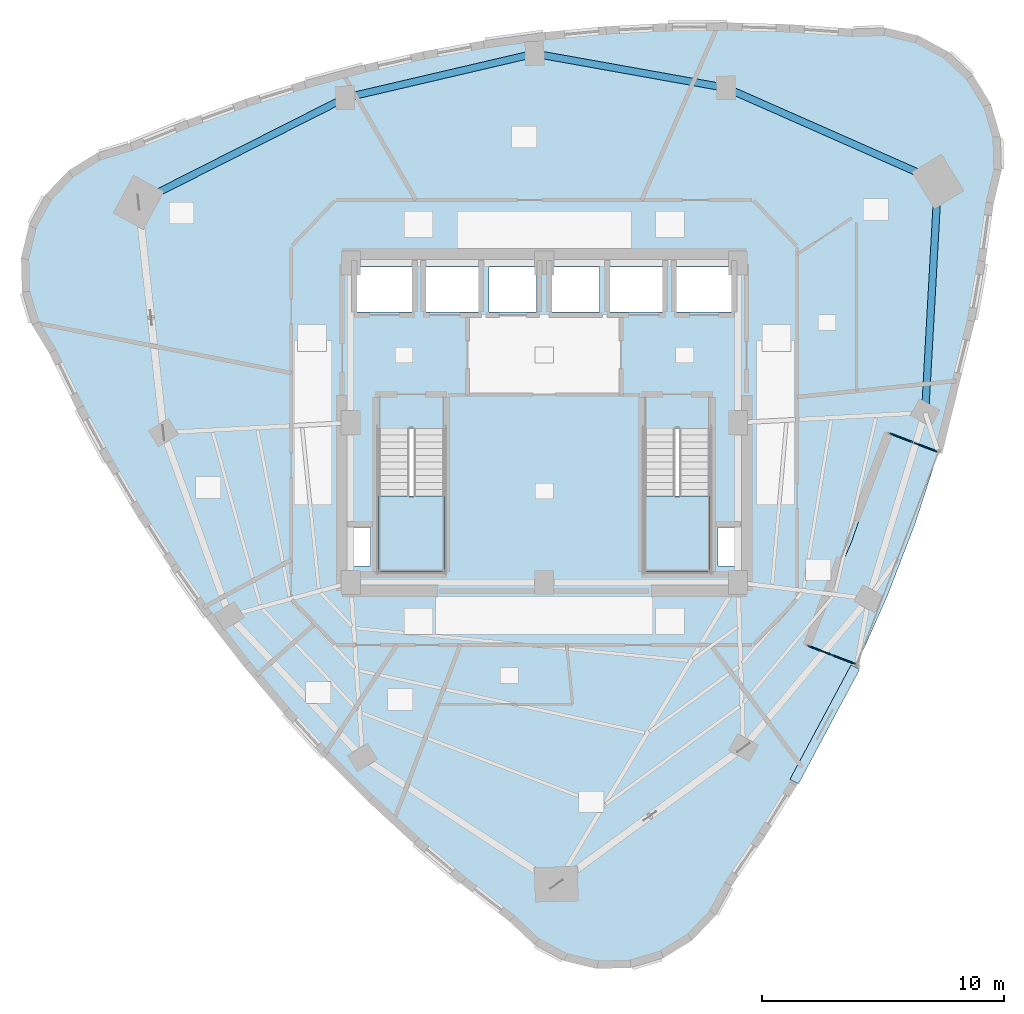
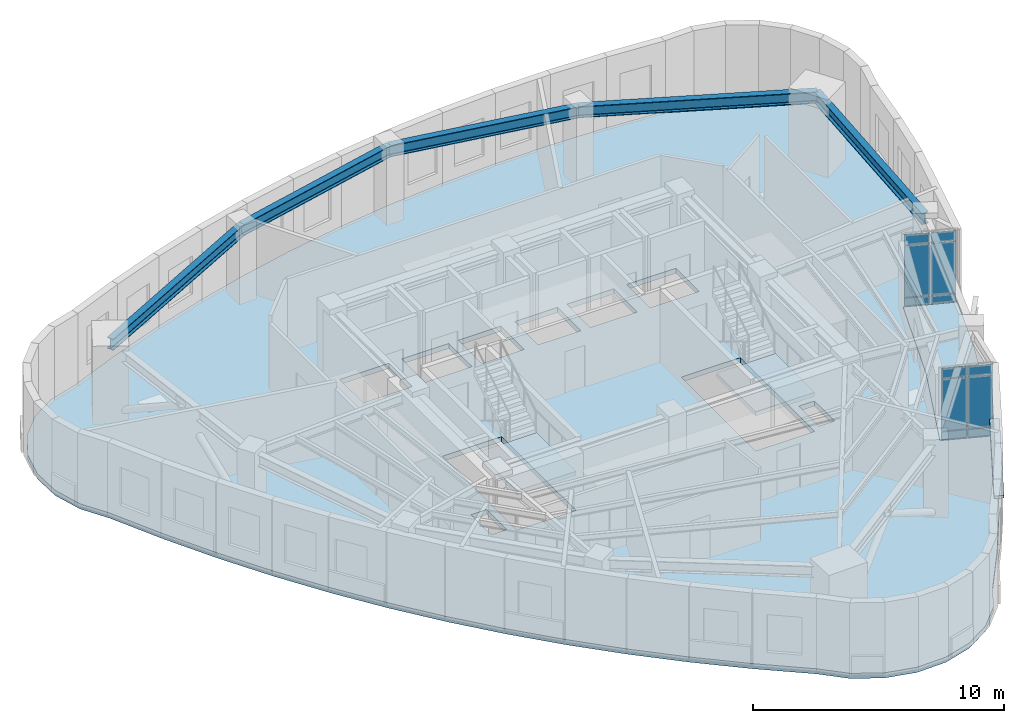
# One storey, part 3 of 10: 13 plates, 5 beams, 4 slabs, 4 elements without a shape of their own.
"""IFC4 building model written with IfcOpenShell, lengths in metres."""

from ifc_helpers import new_model, si_unit, direction, frame, origin, origin_2d, place, context, subcontext, project, spatial, polyline, rectangle, i_section, outline, extrude, material, layer, layer_set, material_profile, profile_set, type_object, element, aggregate, save


model = new_model("IFC4")

# Units and contexts
model_context = context("Model", 3, precision=1e-05, world=origin(), true_north=direction((0.0, 1.0)))
body_context = subcontext(model_context, "Body", "Model", "MODEL_VIEW")
ifc_project = project(units=[si_unit("LENGTHUNIT", "METRE"), si_unit("AREAUNIT", "SQUARE_METRE"), si_unit("VOLUMEUNIT", "CUBIC_METRE"), si_unit("PLANEANGLEUNIT", "RADIAN"), si_unit("MASSUNIT", "GRAM", prefix="KILO")], contexts=[model_context])

# Site, building, storey
site_placement = place(None, origin())
site = spatial("IfcSite", under=ifc_project, at=site_placement, CompositionType="ELEMENT")
building_placement = place(site_placement, origin())
building = spatial("IfcBuilding", under=site, at=building_placement, Name="Ndelora Gate Hotel", CompositionType="ELEMENT")
storey_placement = place(building_placement, frame((0.0, 0.0, 243.550048828125)))
storey = spatial("IfcBuildingStorey", under=building, at=storey_placement, Name="L61", CompositionType="ELEMENT", Elevation=243.550048828125)

# Beams
ifc_material_1 = material(Name="Steel S355", Category="steel")
ifc_material_profile = material_profile(ifc_material_1, i_section(OverallWidth=0.300048828125, OverallDepth=0.550048828125, WebThickness=0.014892578125, FlangeThickness=0.029052734375, FilletRadius=0.027099609375, at=origin_2d()), Name="HEB 550")
ifc_profile_set = profile_set([ifc_material_profile], Name="Steel S355")
beam_type = type_object("IfcBeamType", Name="BM-RING-550", PredefinedType="SPANDREL", material=ifc_profile_set)
beam_1_placement = place(storey_placement, frame((15.72998046875, 0.411865234375, 3.27490234375), z_axis=(0.055426206248, 0.998462786318, 0.0), x_axis=(-0.998462786318, 0.055426206248, 0.0)))
element("IfcBeam", 1, at=beam_1_placement, inside=storey, type_object=beam_type, Name="L61 Perimeter Spandrel Girder 8", PredefinedType="SPANDREL", context=body_context, shape_type="SweptSolid", body=[
    extrude(i_section(OverallWidth=0.300048828125, OverallDepth=0.550048828125, WebThickness=0.014892578125, FlangeThickness=0.029052734375, FilletRadius=0.027099609375, at=origin_2d()), origin(), (0.0, 0.0, 1.0), 9.567138671875),
])
beam_2_placement = place(storey_placement, frame((16.26025390625, 9.96435546875, 3.27490234375), z_axis=(-0.914807449647, 0.403890245078, 0.0), x_axis=(-0.403890245078, -0.914807449647, 0.0)))
element("IfcBeam", 2, at=beam_2_placement, inside=storey, type_object=beam_type, Name="L61 Perimeter Spandrel Girder 9", PredefinedType="SPANDREL", context=body_context, shape_type="SweptSolid", body=[
    extrude(i_section(OverallWidth=0.300048828125, OverallDepth=0.550048828125, WebThickness=0.014892578125, FlangeThickness=0.029052734375, FilletRadius=0.027099609375, at=origin_2d()), origin(), (0.0, 0.0, 1.0), 9.56689453125),
])
for number, where, z_axis, x_axis, name in (
    (3, (7.50830078125, 13.828369140625, 3.27490234375), (-0.984373619655, 0.176092523767, 0.0), (-0.176092523767, -0.984373619655, 0.0), "L61 Perimeter Spandrel Girder 10"),
    (4, (-0.399169921875, 15.242919921875, 3.27490234375), (-0.973809142107, -0.227367004529, 0.0), (0.227367004529, -0.973809142107, 0.0), "L61 Perimeter Spandrel Girder 11"),
):
    element("IfcBeam", number, at=place(storey_placement, frame(where, z_axis=z_axis, x_axis=x_axis)), inside=storey, type_object=beam_type, Name=name, PredefinedType="SPANDREL", context=body_context, shape_type="SweptSolid", body=[
        extrude(i_section(OverallWidth=0.300048828125, OverallDepth=0.550048828125, WebThickness=0.014892578125, FlangeThickness=0.029052734375, FilletRadius=0.027099609375, at=origin_2d()), origin(), (0.0, 0.0, 1.0), 8.032958984375),
    ])
beam_3_placement = place(storey_placement, frame((-8.2216796875, 13.41650390625, 3.27490234375), z_axis=(-0.89241242978, -0.451220628045, 0.0), x_axis=(0.451220628045, -0.89241242978, 0.0)))
element("IfcBeam", 5, at=beam_3_placement, inside=storey, type_object=beam_type, Name="L61 Perimeter Spandrel Girder 12", PredefinedType="SPANDREL", context=body_context, shape_type="SweptSolid", body=[
    extrude(i_section(OverallWidth=0.300048828125, OverallDepth=0.550048828125, WebThickness=0.014892578125, FlangeThickness=0.029052734375, FilletRadius=0.027099609375, at=origin_2d()), origin(), (0.0, 0.0, 1.0), 9.567138671875),
])

# Curtain wall, plates
ifc_material_2 = material(Name="Bronze Anodised Unitised Aluminium and Low-E Glass", Category="aluminium")
ifc_layer_1 = layer(ifc_material_2, 0.199951171875)
ifc_layer_set_1 = layer_set([ifc_layer_1], Name="Bronze Anodised Unitised Aluminium and Low-E Glass")
curtain_wall_type = type_object("IfcCurtainWallType", Name="CW-SYS-3", PredefinedType="NOTDEFINED", material=ifc_layer_set_1)
curtain_wall_1_placement = place(storey_placement, origin())
curtain_wall_1 = element("IfcCurtainWall", 6, at=curtain_wall_1_placement, inside=storey, type_object=curtain_wall_type, Name="L61 Sky-Garden Loggia Side Curtain Wall CW3-1", PredefinedType="NOTDEFINED")
ifc_material_3 = material(Name="Solar-Control Low-E Insulated Glazing", Category="glass")
ifc_layer_2 = layer(ifc_material_3, 0.048095703125)
ifc_layer_set_2 = layer_set([ifc_layer_2], Name="Solar-Control Low-E Insulated Glazing")
plate_type_1 = type_object("IfcPlateType", Name="PL-CW-GLZ36", PredefinedType="CURTAIN_PANEL", material=ifc_layer_set_2)
plate_1_placement = place(storey_placement, frame((11.38232421875, -9.403564453125, 0.05908203125), z_axis=(0.0, 0.0, 1.0), x_axis=(0.933577378035, -0.35837589096, 0.0)))
plate_1 = element("IfcPlate", 7, at=plate_1_placement, type_object=plate_type_1, Name="CW3 panel 1.1", PredefinedType="CURTAIN_PANEL", context=body_context, shape_type="SweptSolid", body=[
    extrude(rectangle(XDim=1.014404296875, YDim=0.048095703125, at=origin_2d()), origin(), (0.0, 0.0, 1.0), 0.364501953125),
])
plate_2_placement = place(storey_placement, frame((11.38232421875, -9.403564453125, 0.476318359375), z_axis=(0.0, 0.0, 1.0), x_axis=(0.933577378035, -0.35837589096, 0.0)))
plate_2 = element("IfcPlate", 8, at=plate_2_placement, type_object=plate_type_1, Name="CW3 panel 1.2", PredefinedType="CURTAIN_PANEL", context=body_context, shape_type="SweptSolid", body=[
    extrude(rectangle(XDim=1.014404296875, YDim=0.048095703125, at=origin_2d()), origin(), (0.0, 0.0, 1.0), 2.4970703125),
])
plate_3_placement = place(storey_placement, frame((11.38232421875, -9.403564453125, 3.0263671875), z_axis=(0.0, 0.0, 1.0), x_axis=(0.933577378035, -0.35837589096, 0.0)))
plate_3 = element("IfcPlate", 9, at=plate_3_placement, type_object=plate_type_1, Name="CW3 panel 1.3", PredefinedType="CURTAIN_PANEL", context=body_context, shape_type="SweptSolid", body=[
    extrude(rectangle(XDim=1.014404296875, YDim=0.048095703125, at=origin_2d()), origin(), (0.0, 0.0, 1.0), 0.464599609375),
])
plate_4_placement = place(storey_placement, frame((12.378662109375, -9.7861328125, 0.05908203125), z_axis=(0.0, 0.0, 1.0), x_axis=(0.933577378035, -0.35837589096, 0.0)))
plate_4 = element("IfcPlate", 10, at=plate_4_placement, type_object=plate_type_1, Name="CW3 panel 2.1", PredefinedType="CURTAIN_PANEL", context=body_context, shape_type="SweptSolid", body=[
    extrude(rectangle(XDim=1.014404296875, YDim=0.048095703125, at=origin_2d()), origin(), (0.0, 0.0, 1.0), 0.364501953125),
])
plate_5_placement = place(storey_placement, frame((12.378662109375, -9.7861328125, 0.476318359375), z_axis=(0.0, 0.0, 1.0), x_axis=(0.933577378035, -0.35837589096, 0.0)))
plate_5 = element("IfcPlate", 11, at=plate_5_placement, type_object=plate_type_1, Name="CW3 panel 2.2", PredefinedType="CURTAIN_PANEL", context=body_context, shape_type="SweptSolid", body=[
    extrude(rectangle(XDim=1.014404296875, YDim=0.048095703125, at=origin_2d()), origin(), (0.0, 0.0, 1.0), 2.4970703125),
])
plate_6_placement = place(storey_placement, frame((12.378662109375, -9.7861328125, 3.0263671875), z_axis=(0.0, 0.0, 1.0), x_axis=(0.933577378035, -0.35837589096, 0.0)))
plate_6 = element("IfcPlate", 12, at=plate_6_placement, type_object=plate_type_1, Name="CW3 panel 2.3", PredefinedType="CURTAIN_PANEL", context=body_context, shape_type="SweptSolid", body=[
    extrude(rectangle(XDim=1.014404296875, YDim=0.048095703125, at=origin_2d()), origin(), (0.0, 0.0, 1.0), 0.464599609375),
])
aggregate(curtain_wall_1, [plate_1, plate_2, plate_3, plate_4, plate_5, plate_6])

curtain_wall_2_placement = place(storey_placement, origin())
curtain_wall_2 = element("IfcCurtainWall", 13, at=curtain_wall_2_placement, inside=storey, type_object=curtain_wall_type, Name="L61 Sky-Garden Loggia Side Curtain Wall CW3-2", PredefinedType="NOTDEFINED")
plate_7_placement = place(storey_placement, frame((15.74755859375, -1.010498046875, 0.05908203125), z_axis=(0.0, 0.0, 1.0), x_axis=(-0.93358321574, 0.358360683234, 0.0)))
plate_7 = element("IfcPlate", 14, at=plate_7_placement, type_object=plate_type_1, Name="CW3 panel 1.1", PredefinedType="CURTAIN_PANEL", context=body_context, shape_type="SweptSolid", body=[
    extrude(rectangle(XDim=1.014404296875, YDim=0.048095703125, at=origin_2d()), origin(), (0.0, 0.0, 1.0), 0.364501953125),
])
plate_8_placement = place(storey_placement, frame((15.74755859375, -1.010498046875, 0.476318359375), z_axis=(0.0, 0.0, 1.0), x_axis=(-0.93358321574, 0.358360683234, 0.0)))
plate_8 = element("IfcPlate", 15, at=plate_8_placement, type_object=plate_type_1, Name="CW3 panel 1.2", PredefinedType="CURTAIN_PANEL", context=body_context, shape_type="SweptSolid", body=[
    extrude(rectangle(XDim=1.014404296875, YDim=0.048095703125, at=origin_2d()), origin(), (0.0, 0.0, 1.0), 2.4970703125),
])
plate_9_placement = place(storey_placement, frame((15.74755859375, -1.010498046875, 3.0263671875), z_axis=(0.0, 0.0, 1.0), x_axis=(-0.93358321574, 0.358360683234, 0.0)))
plate_9 = element("IfcPlate", 16, at=plate_9_placement, type_object=plate_type_1, Name="CW3 panel 1.3", PredefinedType="CURTAIN_PANEL", context=body_context, shape_type="SweptSolid", body=[
    extrude(rectangle(XDim=1.014404296875, YDim=0.048095703125, at=origin_2d()), origin(), (0.0, 0.0, 1.0), 0.464599609375),
])
plate_10_placement = place(storey_placement, frame((14.750732421875, -0.6279296875, 0.05908203125), z_axis=(0.0, 0.0, 1.0), x_axis=(-0.93358321574, 0.358360683234, 0.0)))
plate_10 = element("IfcPlate", 17, at=plate_10_placement, type_object=plate_type_1, Name="CW3 panel 2.1", PredefinedType="CURTAIN_PANEL", context=body_context, shape_type="SweptSolid", body=[
    extrude(rectangle(XDim=1.014404296875, YDim=0.048095703125, at=origin_2d()), origin(), (0.0, 0.0, 1.0), 0.364501953125),
])
plate_11_placement = place(storey_placement, frame((14.750732421875, -0.6279296875, 0.476318359375), z_axis=(0.0, 0.0, 1.0), x_axis=(-0.93358321574, 0.358360683234, 0.0)))
plate_11 = element("IfcPlate", 18, at=plate_11_placement, type_object=plate_type_1, Name="CW3 panel 2.2", PredefinedType="CURTAIN_PANEL", context=body_context, shape_type="SweptSolid", body=[
    extrude(rectangle(XDim=1.014404296875, YDim=0.048095703125, at=origin_2d()), origin(), (0.0, 0.0, 1.0), 2.4970703125),
])
plate_12_placement = place(storey_placement, frame((14.750732421875, -0.6279296875, 3.0263671875), z_axis=(0.0, 0.0, 1.0), x_axis=(-0.93358321574, 0.358360683234, 0.0)))
plate_12 = element("IfcPlate", 19, at=plate_12_placement, type_object=plate_type_1, Name="CW3 panel 2.3", PredefinedType="CURTAIN_PANEL", context=body_context, shape_type="SweptSolid", body=[
    extrude(rectangle(XDim=1.014404296875, YDim=0.048095703125, at=origin_2d()), origin(), (0.0, 0.0, 1.0), 0.464599609375),
])
aggregate(curtain_wall_2, [plate_7, plate_8, plate_9, plate_10, plate_11, plate_12])

# Plate
ifc_material_4 = material(Name="Precast concrete C40/50", Category="concrete")
ifc_layer_3 = layer(ifc_material_4, 0.125)
ifc_layer_set_3 = layer_set([ifc_layer_3], Name="Precast concrete C40/50")
plate_type_2 = type_object("IfcPlateType", Name="PL-SILL-120", PredefinedType="USERDEFINED", material=ifc_layer_set_3)
plate_13_placement = place(storey_placement, frame((11.58642578125, -12.461669921875, 0.787353515625), z_axis=(0.0, 0.0, 1.0), x_axis=(0.471165834227, 0.882044645501, 0.0)))
element("IfcPlate", 20, at=plate_13_placement, inside=storey, type_object=plate_type_2, Name="L61 Streamline Precast Ribbon Sill 31", ObjectType="RIBBON_SILL", PredefinedType="USERDEFINED", context=body_context, shape_type="SweptSolid", body=[
    extrude(rectangle(XDim=5.35693359375, YDim=0.39990234375, at=origin_2d()), origin(), (0.0, 0.0, 1.0), 0.125),
])

# Stair, slab
stair_type = type_object("IfcStairType", Name="STR-DOG-CORE", PredefinedType="HALF_TURN_STAIR", material=ifc_material_4)
stair_1_placement = place(storey_placement, origin())
stair_1 = element("IfcStair", 21, at=stair_1_placement, inside=storey, type_object=stair_type, Name="L61 Protected Core Exit Stair ST4", PredefinedType="HALF_TURN_STAIR")
ifc_layer_4 = layer(ifc_material_4, 0.219970703125)
ifc_layer_set_4 = layer_set([ifc_layer_4], Name="Precast concrete C40/50")
slab_type_1 = type_object("IfcSlabType", Name="SL-LAND-220", PredefinedType="LANDING", material=ifc_layer_set_4)
slab_1_placement = place(storey_placement, frame((0.0, 0.0, 1.699951171875)))
slab_1 = element("IfcSlab", 22, at=slab_1_placement, type_object=slab_type_1, Name="ST4 landing 1", PredefinedType="LANDING", context=body_context, shape_type="SweptSolid", body=[
    extrude(outline(polyline([(-6.85009765625, -3.030029296875), (-6.85009765625, -6.14990234375), (-4.1298828125, -6.14990234375), (-4.1298828125, -3.030029296875), (-6.85009765625, -3.030029296875)])), origin(), (0.0, 0.0, 1.0), 0.199951171875),
])
aggregate(stair_1, [slab_1])

stair_2_placement = place(storey_placement, origin())
stair_2 = element("IfcStair", 23, at=stair_2_placement, inside=storey, type_object=stair_type, Name="L61 Protected Core Exit Stair ST5", PredefinedType="HALF_TURN_STAIR")
slab_2_placement = place(storey_placement, frame((0.0, 0.0, 1.699951171875)))
slab_2 = element("IfcSlab", 24, at=slab_2_placement, type_object=slab_type_1, Name="ST5 landing 1", PredefinedType="LANDING", context=body_context, shape_type="SweptSolid", body=[
    extrude(outline(polyline([(4.1298828125, -3.030029296875), (4.1298828125, -6.14990234375), (6.85009765625, -6.14990234375), (6.85009765625, -3.030029296875), (4.1298828125, -3.030029296875)])), origin(), (0.0, 0.0, 1.0), 0.199951171875),
])
aggregate(stair_2, [slab_2])

# Slabs
ifc_layer_5 = layer(ifc_material_4, 0.239990234375)
ifc_layer_set_5 = layer_set([ifc_layer_5], Name="Precast concrete C40/50")
slab_type_2 = type_object("IfcSlabType", Name="SL-TER-240", PredefinedType="FLOOR", material=ifc_layer_set_5)
slab_3_placement = place(storey_placement, frame((0.0, 0.0, -0.239990234375)))
element("IfcSlab", 25, at=slab_3_placement, inside=storey, type_object=slab_type_2, Name="L61 Sky Garden Loggia Terrace Slab", PredefinedType="FLOOR", context=body_context, shape_type="SweptSolid", body=[
    extrude(outline(polyline([(10.853515625, -9.20068359375), (12.907470703125, -9.989013671875), (14.171142578125, -7.151611328125), (15.316650390625, -4.167724609375), (16.276123046875, -1.21337890625), (14.22216796875, -0.425048828125), (12.7099609375, -4.87890625), (10.853515625, -9.20068359375)])), origin(), (0.0, 0.0, 1.0), 0.239990234375),
])
ifc_material_5 = material(Name="Concrete C40/50", Category="concrete")
ifc_layer_6 = layer(ifc_material_5, 0.25)
ifc_layer_set_6 = layer_set([ifc_layer_6], Name="Concrete C40/50")
slab_type_3 = type_object("IfcSlabType", Name="SL-TWR-250", PredefinedType="FLOOR", material=ifc_layer_set_6)
slab_4_placement = place(storey_placement, frame((0.0, 0.0, -0.25)))
element("IfcSlab", 26, at=slab_4_placement, inside=storey, type_object=slab_type_3, Name="L61 Structural Floor Slab", PredefinedType="FLOOR", context=body_context, shape_type="SweptSolid", body=[
    extrude(outline(polyline([(-17.084228515625, 11.381591796875), (-18.3857421875, 10.99609375), (-19.543212890625, 10.286865234375), (-20.4775390625, 9.30224609375), (-21.125244140625, 8.109375), (-21.442138671875, 6.789306640625), (-21.40673828125, 5.432373046875), (-21.02099609375, 4.130615234375), (-20.31201171875, 2.973388671875), (-19.179931640625, 0.653076171875), (-17.966064453125, -1.600830078125), (-16.669921875, -3.788330078125), (-15.2919921875, -5.909423828125), (-13.83203125, -7.964111328125), (-12.289794921875, -9.9521484375), (-10.665771484375, -11.873779296875), (-8.959716796875, -13.729248046875), (-7.17138671875, -15.51806640625), (-5.30126953125, -17.240478515625), (-3.34912109375, -18.896484375), (-1.314697265625, -20.486083984375), (-0.330078125, -21.420654296875), (0.86279296875, -22.068359375), (2.182861328125, -22.38525390625), (3.539794921875, -22.349609375), (4.84130859375, -21.964111328125), (5.998779296875, -21.2548828125), (6.933349609375, -20.270263671875), (7.5810546875, -19.0771484375), (8.968505859375, -17.023193359375), (10.265380859375, -14.93408203125), (12.907470703125, -9.989013671875), (10.853515625, -9.20068359375), (12.7099609375, -4.87890625), (14.22216796875, -0.425048828125), (16.276123046875, -1.21337890625), (17.62158203125, 4.229248046875), (18.0556640625, 6.6494140625), (18.39892578125, 9.1044921875), (18.7158203125, 10.42431640625), (18.680419921875, 11.781494140625), (18.294921875, 13.0830078125), (17.58544921875, 14.240478515625), (16.600830078125, 15.1748046875), (15.40771484375, 15.822509765625), (14.087890625, 16.139404296875), (12.73095703125, 16.10400390625), (10.155517578125, 16.28369140625), (7.5966796875, 16.359619140625), (5.05419921875, 16.330810546875), (2.5283203125, 16.197998046875), (0.01904296875, 15.960693359375), (-2.473876953125, 15.619384765625), (-4.9501953125, 15.173828125), (-7.409912109375, 14.623779296875), (-9.853271484375, 13.9697265625), (-12.280029296875, 13.211181640625), (-14.6904296875, 12.3486328125), (-17.084228515625, 11.381591796875)]), holes=[polyline([(-6.85009765625, -0.22998046875), (-6.85009765625, -6.14990234375), (-4.1298828125, -6.14990234375), (-4.1298828125, -0.22998046875), (-6.85009765625, -0.22998046875)]), polyline([(4.1298828125, -0.22998046875), (4.1298828125, -6.14990234375), (6.85009765625, -6.14990234375), (6.85009765625, -0.22998046875), (4.1298828125, -0.22998046875)]), polyline([(-7.72998046875, 4.570068359375), (-5.469970703125, 4.570068359375), (-5.469970703125, 6.429931640625), (-7.72998046875, 6.429931640625), (-7.72998046875, 4.570068359375)]), polyline([(5.469970703125, 4.570068359375), (7.72998046875, 4.570068359375), (7.72998046875, 6.429931640625), (5.469970703125, 6.429931640625), (5.469970703125, 4.570068359375)]), polyline([(-4.8798828125, 4.570068359375), (-2.719970703125, 4.570068359375), (-2.719970703125, 6.429931640625), (-4.8798828125, 6.429931640625), (-4.8798828125, 4.570068359375)]), polyline([(2.719970703125, 4.570068359375), (4.8798828125, 4.570068359375), (4.8798828125, 6.429931640625), (2.719970703125, 6.429931640625), (2.719970703125, 4.570068359375)]), polyline([(-2.280029296875, 4.570068359375), (-0.320068359375, 4.570068359375), (-0.320068359375, 6.429931640625), (-2.280029296875, 6.429931640625), (-2.280029296875, 4.570068359375)]), polyline([(0.320068359375, 4.570068359375), (2.280029296875, 4.570068359375), (2.280029296875, 6.429931640625), (0.320068359375, 6.429931640625), (0.320068359375, 4.570068359375)]), polyline([(-7.89990234375, -5.919921875), (-7.179931640625, -5.919921875), (-7.179931640625, -4.320068359375), (-7.89990234375, -4.320068359375), (-7.89990234375, -5.919921875)]), polyline([(7.179931640625, -5.919921875), (7.89990234375, -5.919921875), (7.89990234375, -4.320068359375), (7.179931640625, -4.320068359375), (7.179931640625, -5.919921875)])]), origin(), (0.0, 0.0, 1.0), 0.25),
])

save(model, "model.ifc")
